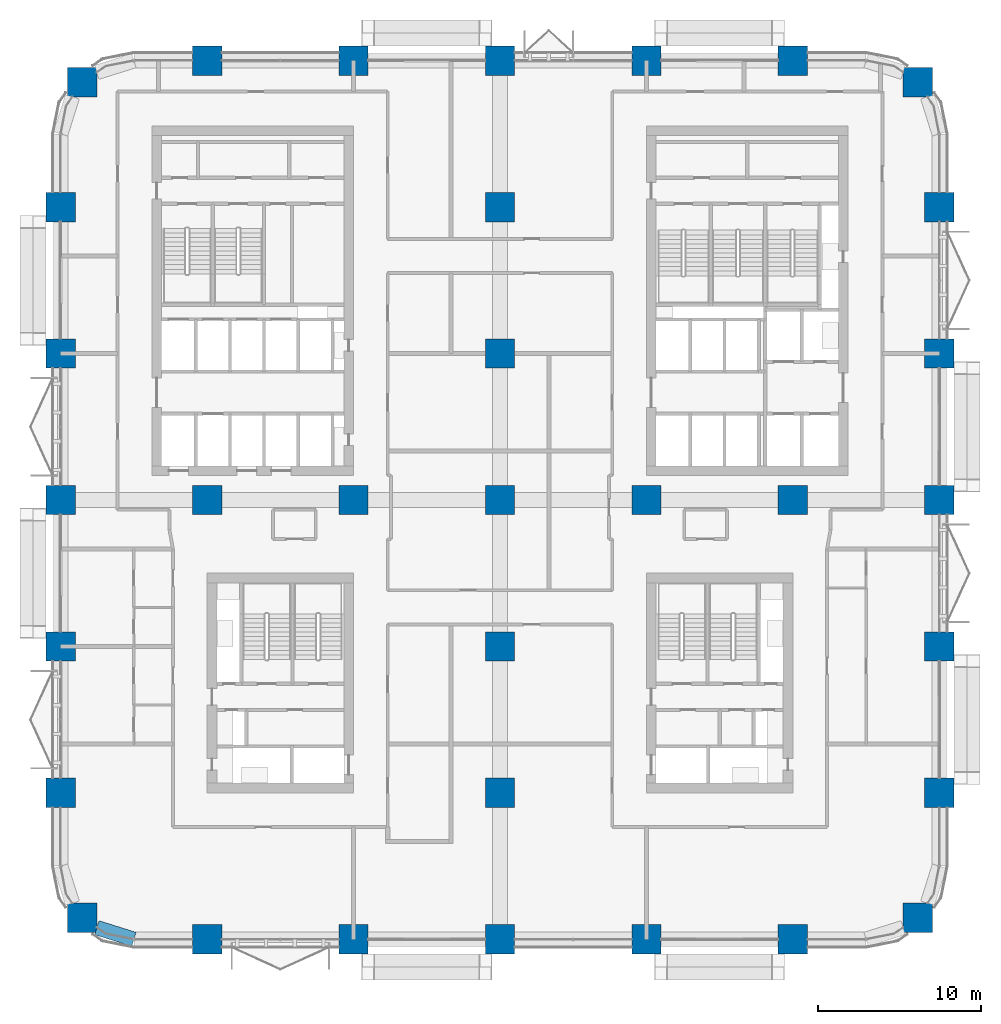
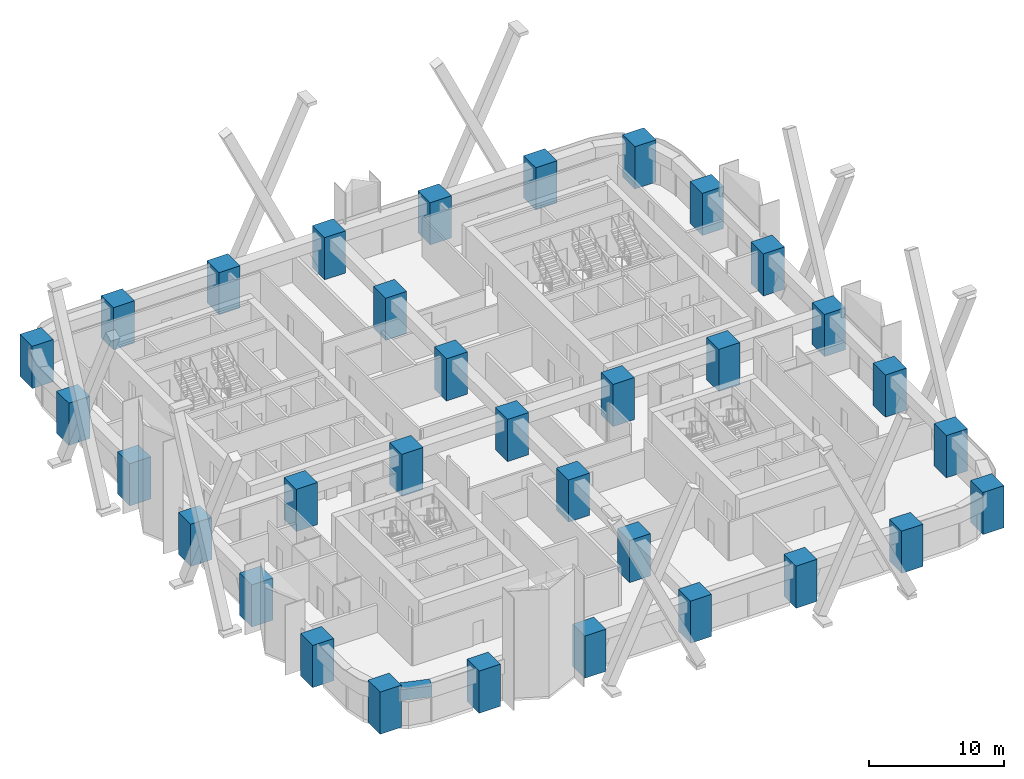
# One storey, part 1 of 23: 33 columns, 1 beam.
"""IFC4 building model written with IfcOpenShell, lengths in metres."""

from ifc_helpers import new_model, si_unit, direction, frame, origin, origin_2d, place, context, subcontext, project, spatial, rectangle, extrude, material, material_profile, profile_set, type_object, element, save


model = new_model("IFC4")

# Units and contexts
model_context = context("Model", 3, precision=1e-05, world=origin(), true_north=direction((0.0, 1.0)))
body_context = subcontext(model_context, "Body", "Model", "MODEL_VIEW")
ifc_project = project(units=[si_unit("LENGTHUNIT", "METRE"), si_unit("AREAUNIT", "SQUARE_METRE"), si_unit("VOLUMEUNIT", "CUBIC_METRE"), si_unit("PLANEANGLEUNIT", "RADIAN"), si_unit("MASSUNIT", "GRAM", prefix="KILO")], contexts=[model_context])

# Site, building, storey
site_placement = place(None, origin())
site = spatial("IfcSite", under=ifc_project, at=site_placement, CompositionType="ELEMENT")
building_placement = place(site_placement, origin())
building = spatial("IfcBuilding", under=site, at=building_placement, Name="Tessera Arch", CompositionType="ELEMENT")
storey_placement = place(building_placement, frame((0.0, 0.0, 46.199951171875)))
storey = spatial("IfcBuildingStorey", under=building, at=storey_placement, Name="L09", CompositionType="ELEMENT", Elevation=46.199951171875)

# Columns
ifc_material_1 = material(Name="Concrete C80/95", Category="concrete")
ifc_material_profile_1 = material_profile(ifc_material_1, rectangle(XDim=1.800048828125, YDim=1.800048828125, at=origin_2d()), Name="RC column 1800 x 1800 Concrete C80/95")
ifc_profile_set_1 = profile_set([ifc_material_profile_1], Name="Concrete C80/95")
column_type = type_object("IfcColumnType", Name="RC column 1800 x 1800 Concrete C80/95", PredefinedType="COLUMN", material=ifc_profile_set_1)
for number, where, z_axis, x_axis, name in (
    (1, (1.318115234375, 1.318115234375, 0.0), (0.0, 0.0, 1.0), (1.0, 0.0, 0.0), "Column C1A L09"),
    (2, (0.0, 9.0, 0.0), (0.0, 0.0, 1.0), (1.0, 0.0, 0.0), "Column C1B L09"),
    (3, (0.0, 18.0, 0.0), (0.0, 0.0, 1.0), (1.0, 0.0, 0.0), "Column C1C L09"),
    (4, (0.0, 27.0, 0.0), (0.0, 0.0, 1.0), (1.0, 0.0, 0.0), "Column C1D L09"),
    (5, (0.0, 36.0, 0.0), (0.0, 0.0, 1.0), (1.0, 0.0, 0.0), "Column C1E L09"),
    (6, (0.0, 45.0, 0.0), (0.0, 0.0, 1.0), (1.0, 0.0, 0.0), "Column C1F L09"),
    (7, (1.318115234375, 52.681884765625, 0.0), (0.0, 0.0, 1.0), (1.0, 0.0, 0.0), "Column C1G L09"),
    (8, (9.0, 0.0, 0.0), (0.0, 0.0, 1.0), (1.0, 0.0, 0.0), "Column C2A L09"),
    (9, (9.0, 27.0, 0.0), (0.0, 0.0, 1.0), (1.0, 0.0, 0.0), "Column C2D L09"),
    (10, (9.0, 54.0, 0.0), (0.0, 0.0, 1.0), (1.0, 0.0, 0.0), "Column C2G L09"),
    (11, (18.0, 0.0, 0.0), (0.0, 0.0, 1.0), (1.0, 0.0, 0.0), "Column C3A L09"),
    (12, (18.0, 27.0, 0.0), (0.0, 0.0, 1.0), (1.0, 0.0, 0.0), "Column C3D L09"),
    (13, (18.0, 54.0, 0.0), (0.0, 0.0, 1.0), (1.0, 0.0, 0.0), "Column C3G L09"),
    (14, (27.0, 0.0, 0.0), (0.0, 0.0, 1.0), (1.0, 0.0, 0.0), "Column C4A L09"),
    (15, (27.0, 9.0, 0.0), (0.0, 0.0, 1.0), (1.0, 0.0, 0.0), "Column C4B L09"),
    (16, (27.0, 18.0, 0.0), (0.0, 0.0, 1.0), (1.0, 0.0, 0.0), "Column C4C L09"),
    (17, (27.0, 27.0, 0.0), (0.0, 0.0, 1.0), (1.0, 0.0, 0.0), "Column C4D L09"),
    (18, (27.0, 36.0, 0.0), (0.0, 0.0, 1.0), (1.0, 0.0, 0.0), "Column C4E L09"),
    (19, (27.0, 45.0, 0.0), (0.0, 0.0, 1.0), (1.0, 0.0, 0.0), "Column C4F L09"),
    (20, (27.0, 54.0, 0.0), (0.0, 0.0, 1.0), (1.0, 0.0, 0.0), "Column C4G L09"),
    (21, (36.0, 0.0, 0.0), (0.0, 0.0, 1.0), (1.0, 0.0, 0.0), "Column C5A L09"),
    (22, (36.0, 27.0, 0.0), (0.0, 0.0, 1.0), (1.0, 0.0, 0.0), "Column C5D L09"),
    (23, (36.0, 54.0, 0.0), (0.0, 0.0, 1.0), (1.0, 0.0, 0.0), "Column C5G L09"),
    (24, (45.0, 0.0, 0.0), (0.0, 0.0, 1.0), (1.0, 0.0, 0.0), "Column C6A L09"),
    (25, (45.0, 27.0, 0.0), (0.0, 0.0, 1.0), (1.0, 0.0, 0.0), "Column C6D L09"),
    (26, (45.0, 54.0, 0.0), (0.0, 0.0, 1.0), (1.0, 0.0, 0.0), "Column C6G L09"),
    (27, (52.681884765625, 1.318115234375, 0.0), (0.0, 0.0, 1.0), (1.0, 0.0, 0.0), "Column C7A L09"),
    (28, (54.0, 9.0, 0.0), (0.0, 0.0, 1.0), (1.0, 0.0, 0.0), "Column C7B L09"),
    (29, (54.0, 18.0, 0.0), (0.0, 0.0, 1.0), (1.0, 0.0, 0.0), "Column C7C L09"),
    (30, (54.0, 27.0, 0.0), (0.0, 0.0, 1.0), (1.0, 0.0, 0.0), "Column C7D L09"),
    (31, (54.0, 36.0, 0.0), (0.0, 0.0, 1.0), (1.0, 0.0, 0.0), "Column C7E L09"),
    (32, (54.0, 45.0, 0.0), (0.0, 0.0, 1.0), (1.0, 0.0, 0.0), "Column C7F L09"),
    (33, (52.681884765625, 52.681884765625, 0.0), (0.0, 0.0, 1.0), (1.0, 0.0, 0.0), "Column C7G L09"),
):
    element("IfcColumn", number, at=place(storey_placement, frame(where, z_axis=z_axis, x_axis=x_axis)), inside=storey, type_object=column_type, Name=name, PredefinedType="COLUMN", context=body_context, shape_type="SweptSolid", body=[
        extrude(rectangle(XDim=1.800048828125, YDim=1.800048828125, at=origin_2d()), origin(), (0.0, 0.0, 1.0), 3.800048828125),
    ])

# Beam
ifc_material_2 = material(Name="Concrete C80/95", Category="concrete")
ifc_material_profile_2 = material_profile(ifc_material_2, rectangle(XDim=0.89990234375, YDim=1.0, at=origin_2d()), Name="RC spandrel beam 900 x 1000 Concrete C80/95")
ifc_profile_set_2 = profile_set([ifc_material_profile_2], Name="Concrete C80/95")
beam_type = type_object("IfcBeamType", Name="RC spandrel beam 900 x 1000 Concrete C80/95", PredefinedType="BEAM", material=ifc_profile_set_2)
beam_placement = place(storey_placement, frame((2.218017578125, 0.716796875, 3.0), z_axis=(0.954041251279, -0.299675309057, 0.0), x_axis=(0.299675309057, 0.954041251279, 0.0)))
element("IfcBeam", 34, at=beam_placement, inside=storey, type_object=beam_type, Name="Spandrel beam L09 S0.0/5.1", PredefinedType="BEAM", context=body_context, shape_type="SweptSolid", body=[
    extrude(rectangle(XDim=0.89990234375, YDim=1.0, at=origin_2d()), origin(), (0.0, 0.0, 1.0), 2.391845703125),
])

save(model, "model.ifc")
